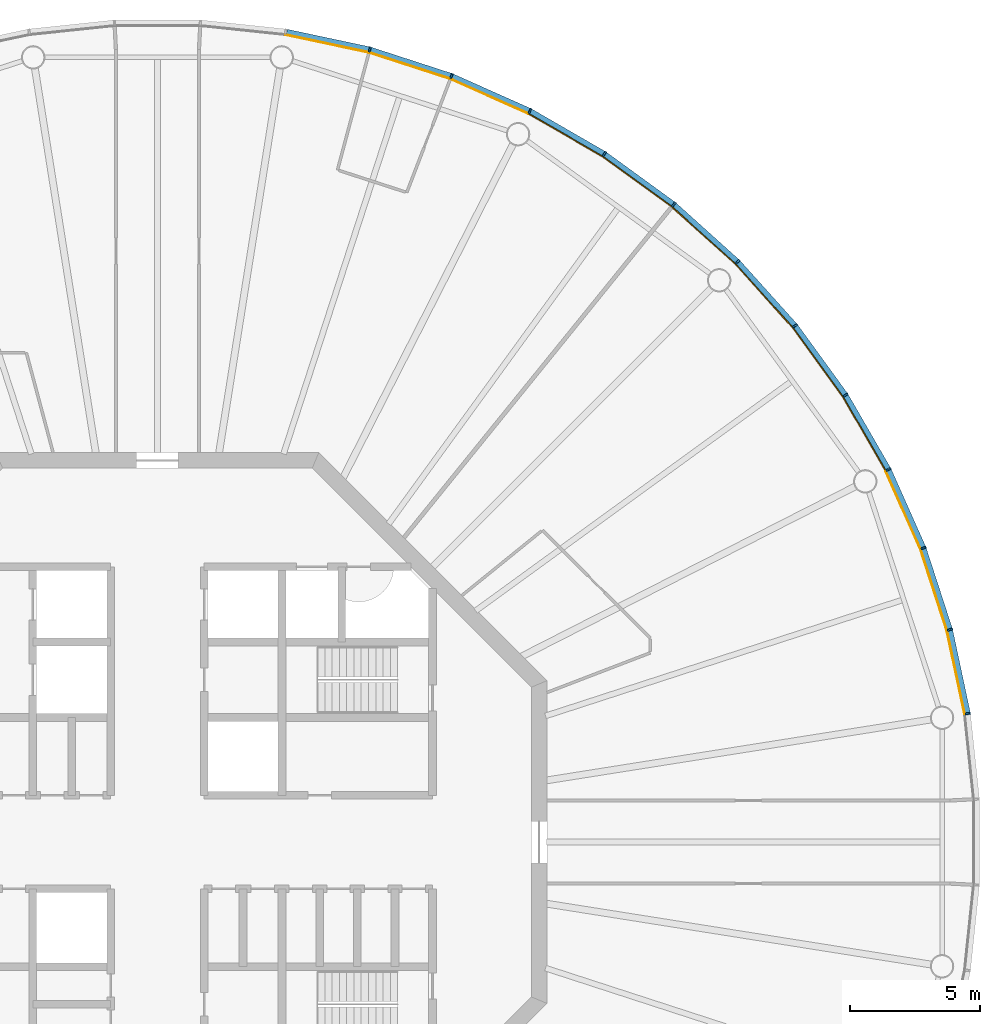
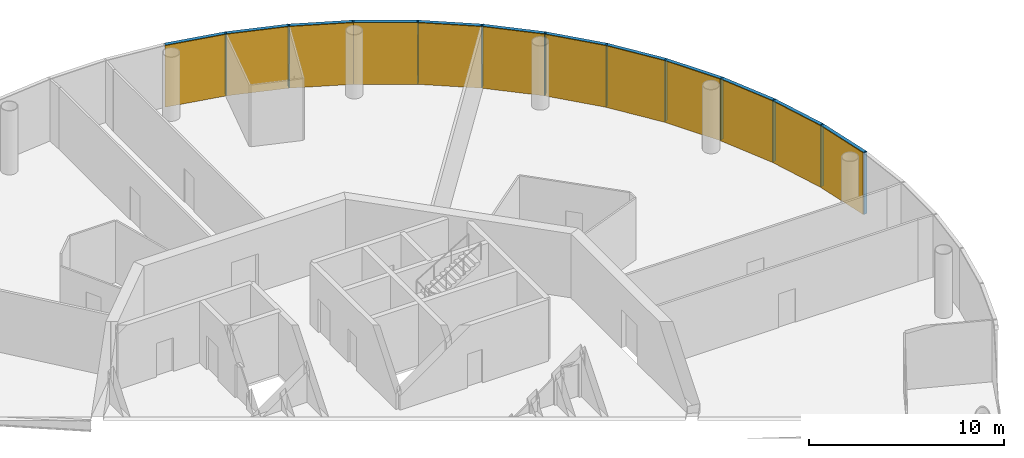
# One storey, part 12 of 13: 24 members, 4 curtain walls.
"""IFC4 building model written with IfcOpenShell, lengths in metres."""

from ifc_helpers import new_model, si_unit, direction, frame, origin, origin_2d, place, context, subcontext, project, spatial, polyline, rectangle, outline, extrude, material, layer, layer_set, material_profile, profile_set, type_object, element, aggregate, save


model = new_model("IFC4")

# Units and contexts
model_context = context("Model", 3, precision=1e-05, world=origin(), true_north=direction((0.0, 1.0)))
body_context = subcontext(model_context, "Body", "Model", "MODEL_VIEW")
ifc_project = project(units=[si_unit("LENGTHUNIT", "METRE"), si_unit("AREAUNIT", "SQUARE_METRE"), si_unit("VOLUMEUNIT", "CUBIC_METRE"), si_unit("PLANEANGLEUNIT", "RADIAN"), si_unit("MASSUNIT", "GRAM", prefix="KILO")], contexts=[model_context])

# Member
ifc_material_1 = material(Name="Anodised aluminium", Category="aluminium")
ifc_material_profile_1 = material_profile(ifc_material_1, rectangle(XDim=0.070068359375, YDim=0.205078125, at=origin_2d()), Name="Mullion 70 x 205 mm anodised aluminium")
ifc_profile_set_1 = profile_set([ifc_material_profile_1], Name="Anodised aluminium")
member_type_1 = type_object("IfcMemberType", Name="Mullion 70 x 205 mm anodised aluminium", PredefinedType="MULLION", material=ifc_profile_set_1)
site_placement = place(None, origin())
building_placement = place(site_placement, origin())
storey_placement = place(building_placement, frame((0.0, 0.0, 384.0)))
member_1_placement = place(storey_placement, frame((121.21337890625, 84.943603515625, 0.0), z_axis=(0.0, 0.0, 1.0), x_axis=(-0.15643446504, 0.987688340595, 0.0)))
member_1 = element("IfcMember", 1, at=member_1_placement, type_object=member_type_1, Name="MULLION L89-00", PredefinedType="MULLION", context=body_context, shape_type="SweptSolid", body=[
    extrude(rectangle(XDim=0.070068359375, YDim=0.205078125, at=origin_2d()), origin(), (0.0, 0.0, 1.0), 3.85009765625),
])

member_2_placement = place(storey_placement, frame((120.525634765625, 88.179443359375, 0.0), z_axis=(0.0, 0.0, 1.0), x_axis=(-0.258819045103, 0.965925826289, 0.0)))
member_2 = element("IfcMember", 2, at=member_2_placement, type_object=member_type_1, Name="MULLION L89-01", PredefinedType="MULLION", context=body_context, shape_type="SweptSolid", body=[
    extrude(rectangle(XDim=0.070068359375, YDim=0.205078125, at=origin_2d()), origin(), (0.0, 0.0, 1.0), 3.85009765625),
])

member_3_placement = place(storey_placement, frame((119.50341796875, 91.325439453125, 0.0), z_axis=(0.0, 0.0, 1.0), x_axis=(-0.358367949545, 0.933580426497, 0.0)))
member_3 = element("IfcMember", 3, at=member_3_placement, type_object=member_type_1, Name="MULLION L89-02", PredefinedType="MULLION", context=body_context, shape_type="SweptSolid", body=[
    extrude(rectangle(XDim=0.070068359375, YDim=0.205078125, at=origin_2d()), origin(), (0.0, 0.0, 1.0), 3.85009765625),
])

member_4_placement = place(storey_placement, frame((118.157958984375, 94.34716796875, 0.0), z_axis=(0.0, 0.0, 1.0), x_axis=(-0.45399049974, 0.891006524188, 0.0)))
member_4 = element("IfcMember", 4, at=member_4_placement, type_object=member_type_1, Name="MULLION L89-03", PredefinedType="MULLION", context=body_context, shape_type="SweptSolid", body=[
    extrude(rectangle(XDim=0.070068359375, YDim=0.205078125, at=origin_2d()), origin(), (0.0, 0.0, 1.0), 3.85009765625),
])

member_5_placement = place(storey_placement, frame((116.504150390625, 97.2119140625, 0.0), z_axis=(0.0, 0.0, 1.0), x_axis=(-0.544639035015, 0.838670567945, 0.0)))
member_5 = element("IfcMember", 5, at=member_5_placement, type_object=member_type_1, Name="MULLION L89-04", PredefinedType="MULLION", context=body_context, shape_type="SweptSolid", body=[
    extrude(rectangle(XDim=0.070068359375, YDim=0.205078125, at=origin_2d()), origin(), (0.0, 0.0, 1.0), 3.85009765625),
])

member_6_placement = place(storey_placement, frame((114.559814453125, 99.88818359375, 0.0), z_axis=(0.0, 0.0, 1.0), x_axis=(-0.62932039105, 0.777145961457, 0.0)))
member_6 = element("IfcMember", 6, at=member_6_placement, type_object=member_type_1, Name="MULLION L89-05", PredefinedType="MULLION", context=body_context, shape_type="SweptSolid", body=[
    extrude(rectangle(XDim=0.070068359375, YDim=0.205078125, at=origin_2d()), origin(), (0.0, 0.0, 1.0), 3.85009765625),
])

member_7_placement = place(storey_placement, frame((112.346435546875, 102.346435546875, 0.0), z_axis=(0.0, 0.0, 1.0), x_axis=(-0.707106781187, 0.707106781187, 0.0)))
member_7 = element("IfcMember", 7, at=member_7_placement, type_object=member_type_1, Name="MULLION L89-06", PredefinedType="MULLION", context=body_context, shape_type="SweptSolid", body=[
    extrude(rectangle(XDim=0.070068359375, YDim=0.205078125, at=origin_2d()), origin(), (0.0, 0.0, 1.0), 3.85009765625),
])

member_8_placement = place(storey_placement, frame((109.88818359375, 104.559814453125, 0.0), z_axis=(0.0, 0.0, 1.0), x_axis=(-0.777145961457, 0.62932039105, 0.0)))
member_8 = element("IfcMember", 8, at=member_8_placement, type_object=member_type_1, Name="MULLION L89-07", PredefinedType="MULLION", context=body_context, shape_type="SweptSolid", body=[
    extrude(rectangle(XDim=0.070068359375, YDim=0.205078125, at=origin_2d()), origin(), (0.0, 0.0, 1.0), 3.85009765625),
])

member_9_placement = place(storey_placement, frame((107.2119140625, 106.504150390625, 0.0), z_axis=(0.0, 0.0, 1.0), x_axis=(-0.838670567945, 0.544639035015, 0.0)))
member_9 = element("IfcMember", 9, at=member_9_placement, type_object=member_type_1, Name="MULLION L89-08", PredefinedType="MULLION", context=body_context, shape_type="SweptSolid", body=[
    extrude(rectangle(XDim=0.070068359375, YDim=0.205078125, at=origin_2d()), origin(), (0.0, 0.0, 1.0), 3.85009765625),
])

member_10_placement = place(storey_placement, frame((104.34716796875, 108.157958984375, 0.0), z_axis=(0.0, 0.0, 1.0), x_axis=(-0.891006524188, 0.45399049974, 0.0)))
member_10 = element("IfcMember", 10, at=member_10_placement, type_object=member_type_1, Name="MULLION L89-09", PredefinedType="MULLION", context=body_context, shape_type="SweptSolid", body=[
    extrude(rectangle(XDim=0.070068359375, YDim=0.205078125, at=origin_2d()), origin(), (0.0, 0.0, 1.0), 3.85009765625),
])

member_11_placement = place(storey_placement, frame((101.325439453125, 109.50341796875, 0.0), z_axis=(0.0, 0.0, 1.0), x_axis=(-0.933580426497, 0.358367949545, 0.0)))
member_11 = element("IfcMember", 11, at=member_11_placement, type_object=member_type_1, Name="MULLION L89-10", PredefinedType="MULLION", context=body_context, shape_type="SweptSolid", body=[
    extrude(rectangle(XDim=0.070068359375, YDim=0.205078125, at=origin_2d()), origin(), (0.0, 0.0, 1.0), 3.85009765625),
])

member_12_placement = place(storey_placement, frame((98.179443359375, 110.525634765625, 0.0), z_axis=(0.0, 0.0, 1.0), x_axis=(-0.965925826289, 0.258819045103, 0.0)))
member_12 = element("IfcMember", 12, at=member_12_placement, type_object=member_type_1, Name="MULLION L89-11", PredefinedType="MULLION", context=body_context, shape_type="SweptSolid", body=[
    extrude(rectangle(XDim=0.070068359375, YDim=0.205078125, at=origin_2d()), origin(), (0.0, 0.0, 1.0), 3.85009765625),
])

ifc_material_2 = material(Name="Anodised aluminium", Category="aluminium")
ifc_material_profile_2 = material_profile(ifc_material_2, rectangle(XDim=0.205078125, YDim=0.195068359375, at=origin_2d()), Name="Transom 195 x 205 mm anodised aluminium")
ifc_profile_set_2 = profile_set([ifc_material_profile_2], Name="Anodised aluminium")
member_type_2 = type_object("IfcMemberType", Name="Transom 195 x 205 mm anodised aluminium", PredefinedType="USERDEFINED", material=ifc_profile_set_2)
member_13_placement = place(storey_placement, frame((121.205078125, 84.983154296875, 3.75244140625), z_axis=(-0.207885898771, 0.978153082647, 0.0), x_axis=(-0.978153082647, -0.207885898771, 0.0)))
member_13 = element("IfcMember", 13, at=member_13_placement, type_object=member_type_2, Name="TRANSOM L89-00", ObjectType="TRANSOM", PredefinedType="USERDEFINED", context=body_context, shape_type="SweptSolid", body=[
    extrude(rectangle(XDim=0.205078125, YDim=0.195068359375, at=origin_2d()), origin(), (0.0, 0.0, 1.0), 3.227294921875),
])

member_14_placement = place(storey_placement, frame((120.513427734375, 88.2177734375, 3.75244140625), z_axis=(-0.309046726844, 0.951046855117, 0.0), x_axis=(-0.951046855117, -0.309046726844, 0.0)))
member_14 = element("IfcMember", 14, at=member_14_placement, type_object=member_type_2, Name="TRANSOM L89-01", ObjectType="TRANSOM", PredefinedType="USERDEFINED", context=body_context, shape_type="SweptSolid", body=[
    extrude(rectangle(XDim=0.205078125, YDim=0.195068359375, at=origin_2d()), origin(), (0.0, 0.0, 1.0), 3.22705078125),
])

member_15_placement = place(storey_placement, frame((119.4873046875, 91.3623046875, 3.75244140625), z_axis=(-0.406791170024, 0.913521178731, 0.0), x_axis=(-0.913521178731, -0.406791170024, 0.0)))
member_15 = element("IfcMember", 15, at=member_15_placement, type_object=member_type_2, Name="TRANSOM L89-02", ObjectType="TRANSOM", PredefinedType="USERDEFINED", context=body_context, shape_type="SweptSolid", body=[
    extrude(rectangle(XDim=0.205078125, YDim=0.195068359375, at=origin_2d()), origin(), (0.0, 0.0, 1.0), 3.22705078125),
])

member_16_placement = place(storey_placement, frame((118.137939453125, 94.38232421875, 3.75244140625), z_axis=(-0.500004055213, 0.866023062494, 0.0), x_axis=(-0.866023062494, -0.500004055213, 0.0)))
member_16 = element("IfcMember", 16, at=member_16_placement, type_object=member_type_2, Name="TRANSOM L89-03", ObjectType="TRANSOM", PredefinedType="USERDEFINED", context=body_context, shape_type="SweptSolid", body=[
    extrude(rectangle(XDim=0.205078125, YDim=0.195068359375, at=origin_2d()), origin(), (0.0, 0.0, 1.0), 3.22705078125),
])

member_17_placement = place(storey_placement, frame((116.48046875, 97.24462890625, 3.75244140625), z_axis=(-0.587802790201, 0.809004252048, 0.0), x_axis=(-0.809004252048, -0.587802790201, 0.0)))
member_17 = element("IfcMember", 17, at=member_17_placement, type_object=member_type_2, Name="TRANSOM L89-04", ObjectType="TRANSOM", PredefinedType="USERDEFINED", context=body_context, shape_type="SweptSolid", body=[
    extrude(rectangle(XDim=0.205078125, YDim=0.195068359375, at=origin_2d()), origin(), (0.0, 0.0, 1.0), 3.227294921875),
])

member_18_placement = place(storey_placement, frame((114.532958984375, 99.918212890625, 3.75244140625), z_axis=(-0.669144438484, 0.743132370743, 0.0), x_axis=(-0.743132370743, -0.669144438484, 0.0)))
member_18 = element("IfcMember", 18, at=member_18_placement, type_object=member_type_2, Name="TRANSOM L89-05", ObjectType="TRANSOM", PredefinedType="USERDEFINED", context=body_context, shape_type="SweptSolid", body=[
    extrude(rectangle(XDim=0.205078125, YDim=0.195068359375, at=origin_2d()), origin(), (0.0, 0.0, 1.0), 3.22705078125),
])

member_19_placement = place(storey_placement, frame((112.31640625, 102.37353515625, 3.75244140625), z_axis=(-0.743132370743, 0.669144438484, 0.0), x_axis=(-0.669144438484, -0.743132370743, 0.0)))
member_19 = element("IfcMember", 19, at=member_19_placement, type_object=member_type_2, Name="TRANSOM L89-06", ObjectType="TRANSOM", PredefinedType="USERDEFINED", context=body_context, shape_type="SweptSolid", body=[
    extrude(rectangle(XDim=0.205078125, YDim=0.195068359375, at=origin_2d()), origin(), (0.0, 0.0, 1.0), 3.22705078125),
])

member_20_placement = place(storey_placement, frame((109.85546875, 104.58349609375, 3.75244140625), z_axis=(-0.809004252048, 0.587802790201, 0.0), x_axis=(-0.587802790201, -0.809004252048, 0.0)))
member_20 = element("IfcMember", 20, at=member_20_placement, type_object=member_type_2, Name="TRANSOM L89-07", ObjectType="TRANSOM", PredefinedType="USERDEFINED", context=body_context, shape_type="SweptSolid", body=[
    extrude(rectangle(XDim=0.205078125, YDim=0.195068359375, at=origin_2d()), origin(), (0.0, 0.0, 1.0), 3.227294921875),
])

member_21_placement = place(storey_placement, frame((107.177001953125, 106.5244140625, 3.75244140625), z_axis=(-0.866023062494, 0.500004055213, 0.0), x_axis=(-0.500004055213, -0.866023062494, 0.0)))
member_21 = element("IfcMember", 21, at=member_21_placement, type_object=member_type_2, Name="TRANSOM L89-08", ObjectType="TRANSOM", PredefinedType="USERDEFINED", context=body_context, shape_type="SweptSolid", body=[
    extrude(rectangle(XDim=0.205078125, YDim=0.195068359375, at=origin_2d()), origin(), (0.0, 0.0, 1.0), 3.22705078125),
])

member_22_placement = place(storey_placement, frame((104.310302734375, 108.174560546875, 3.75244140625), z_axis=(-0.913521178731, 0.406791170024, 0.0), x_axis=(-0.406791170024, -0.913521178731, 0.0)))
member_22 = element("IfcMember", 22, at=member_22_placement, type_object=member_type_2, Name="TRANSOM L89-09", ObjectType="TRANSOM", PredefinedType="USERDEFINED", context=body_context, shape_type="SweptSolid", body=[
    extrude(rectangle(XDim=0.205078125, YDim=0.195068359375, at=origin_2d()), origin(), (0.0, 0.0, 1.0), 3.22705078125),
])

member_23_placement = place(storey_placement, frame((101.286865234375, 109.51611328125, 3.75244140625), z_axis=(-0.951046855117, 0.309046726844, 0.0), x_axis=(-0.309046726844, -0.951046855117, 0.0)))
member_23 = element("IfcMember", 23, at=member_23_placement, type_object=member_type_2, Name="TRANSOM L89-10", ObjectType="TRANSOM", PredefinedType="USERDEFINED", context=body_context, shape_type="SweptSolid", body=[
    extrude(rectangle(XDim=0.205078125, YDim=0.195068359375, at=origin_2d()), origin(), (0.0, 0.0, 1.0), 3.22705078125),
])

member_24_placement = place(storey_placement, frame((98.139892578125, 110.5341796875, 3.75244140625), z_axis=(-0.978153082647, 0.207885898771, 0.0), x_axis=(-0.207885898771, -0.978153082647, 0.0)))
member_24 = element("IfcMember", 24, at=member_24_placement, type_object=member_type_2, Name="TRANSOM L89-11", ObjectType="TRANSOM", PredefinedType="USERDEFINED", context=body_context, shape_type="SweptSolid", body=[
    extrude(rectangle(XDim=0.205078125, YDim=0.195068359375, at=origin_2d()), origin(), (0.0, 0.0, 1.0), 3.227294921875),
])

# Site, building, storey
site = spatial("IfcSite", under=ifc_project, at=site_placement, CompositionType="ELEMENT")
building = spatial("IfcBuilding", under=site, at=building_placement, Name="Entoto Ring Tower", CompositionType="ELEMENT")
storey = spatial("IfcBuildingStorey", under=building, at=storey_placement, Name="L89", CompositionType="ELEMENT", Elevation=384.0)

# Curtain wall
ifc_material_3 = material(Name="Clear low-iron glass", Category="glass")
ifc_layer = layer(ifc_material_3, 0.035888671875)
ifc_layer_set = layer_set([ifc_layer], Name="Clear low-iron glass")
curtain_wall_type = type_object("IfcCurtainWallType", Name="Curtain wall system CW6 glazing 36 mm", PredefinedType="NOTDEFINED", material=ifc_layer_set)
curtain_wall_1_placement = place(storey_placement, origin())
curtain_wall_1 = element("IfcCurtainWall", 25, at=curtain_wall_1_placement, inside=storey, type_object=curtain_wall_type, Name="CW6 L89-01", PredefinedType="NOTDEFINED", context=body_context, shape_type="SweptSolid", body=[
    extrude(outline(polyline([(121.1123046875, 84.927734375), (120.4267578125, 88.15283203125), (119.40771484375, 91.28857421875), (118.066650390625, 94.30078125), (118.03466796875, 94.284423828125), (119.3740234375, 91.275634765625), (120.391845703125, 88.1435546875), (121.07666015625, 84.922119140625), (121.1123046875, 84.927734375)])), origin(), (0.0, 0.0, 1.0), 3.85009765625),
])

aggregate(curtain_wall_1, [member_1, member_2, member_3, member_13, member_14, member_15])

curtain_wall_2_placement = place(storey_placement, origin())
curtain_wall_2 = element("IfcCurtainWall", 26, at=curtain_wall_2_placement, inside=storey, type_object=curtain_wall_type, Name="CW6 L89-02", PredefinedType="NOTDEFINED", context=body_context, shape_type="SweptSolid", body=[
    extrude(outline(polyline([(118.066650390625, 94.30078125), (116.418212890625, 97.15625), (114.47998046875, 99.823486328125), (112.27392578125, 102.27392578125), (112.248291015625, 102.248291015625), (114.4521484375, 99.801025390625), (116.387939453125, 97.136474609375), (118.03466796875, 94.284423828125), (118.066650390625, 94.30078125)])), origin(), (0.0, 0.0, 1.0), 3.85009765625),
])

aggregate(curtain_wall_2, [member_4, member_5, member_6, member_16, member_17, member_18])

curtain_wall_3_placement = place(storey_placement, origin())
curtain_wall_3 = element("IfcCurtainWall", 27, at=curtain_wall_3_placement, inside=storey, type_object=curtain_wall_type, Name="CW6 L89-03", PredefinedType="NOTDEFINED", context=body_context, shape_type="SweptSolid", body=[
    extrude(outline(polyline([(112.27392578125, 102.27392578125), (109.823486328125, 104.47998046875), (107.15625, 106.418212890625), (104.30078125, 108.066650390625), (104.284423828125, 108.03466796875), (107.136474609375, 106.387939453125), (109.801025390625, 104.4521484375), (112.248291015625, 102.248291015625), (112.27392578125, 102.27392578125)])), origin(), (0.0, 0.0, 1.0), 3.85009765625),
])

aggregate(curtain_wall_3, [member_7, member_8, member_9, member_19, member_20, member_21])

curtain_wall_4_placement = place(storey_placement, origin())
curtain_wall_4 = element("IfcCurtainWall", 28, at=curtain_wall_4_placement, inside=storey, type_object=curtain_wall_type, Name="CW6 L89-04", PredefinedType="NOTDEFINED", context=body_context, shape_type="SweptSolid", body=[
    extrude(outline(polyline([(104.30078125, 108.066650390625), (101.28857421875, 109.40771484375), (98.15283203125, 110.4267578125), (94.927734375, 111.1123046875), (94.922119140625, 111.07666015625), (98.1435546875, 110.391845703125), (101.275634765625, 109.3740234375), (104.284423828125, 108.03466796875), (104.30078125, 108.066650390625)])), origin(), (0.0, 0.0, 1.0), 3.85009765625),
])

aggregate(curtain_wall_4, [member_10, member_11, member_12, member_22, member_23, member_24])

save(model, "model.ifc")
